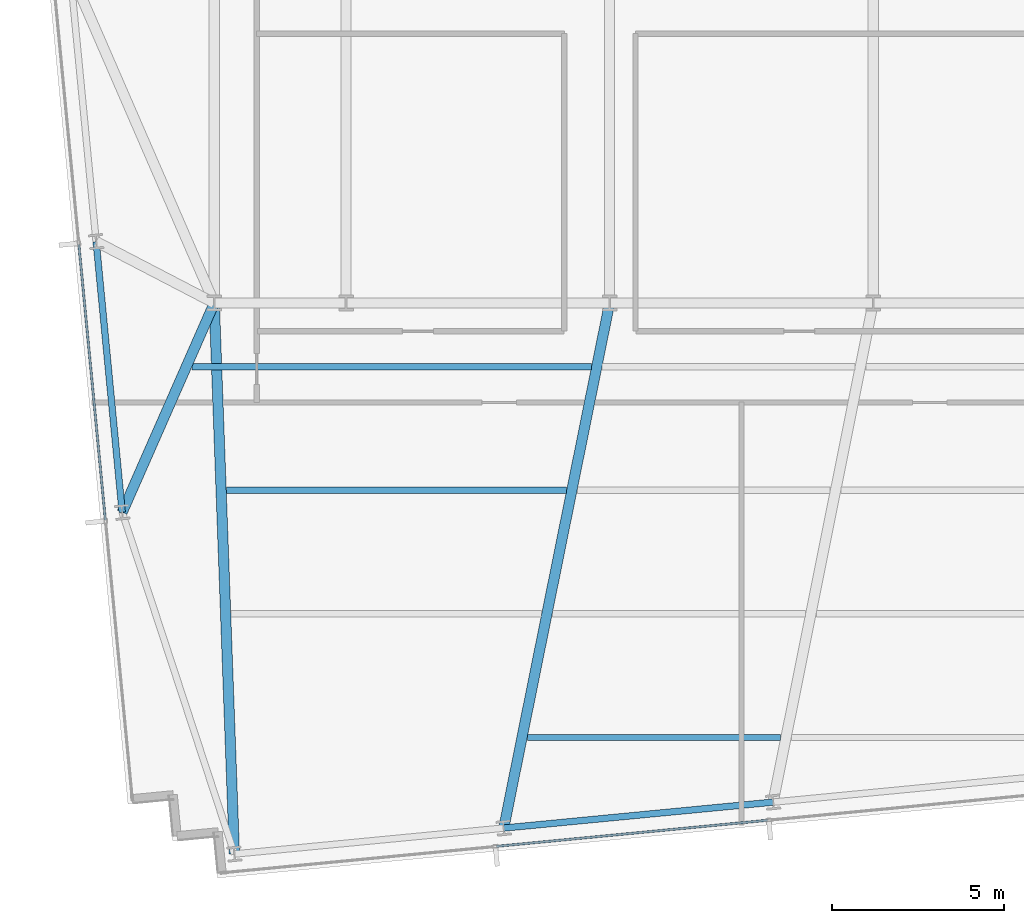
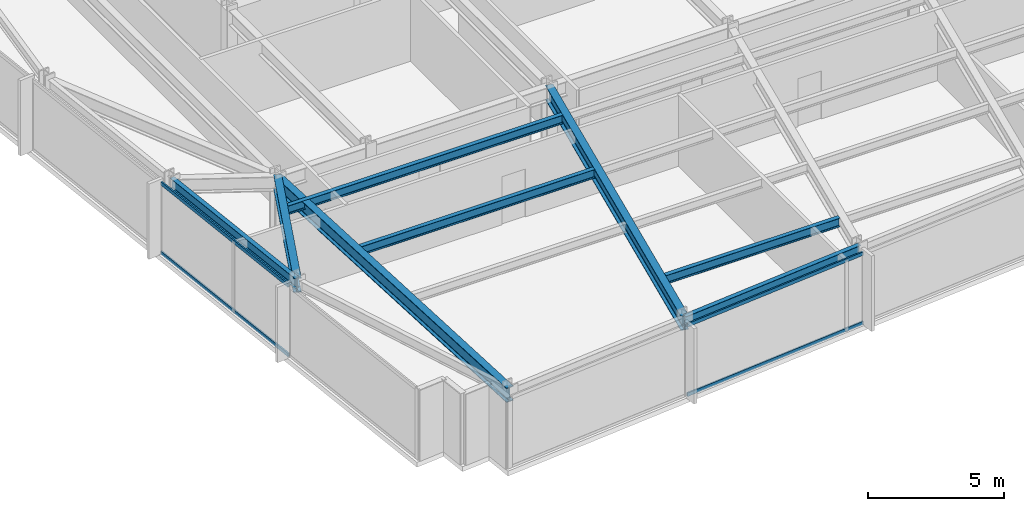
# One storey, part 3 of 32: 8 beams, 4 members, 2 elements without a shape of their own.
"""IFC4 building model written with IfcOpenShell, lengths in metres."""

from ifc_helpers import new_model, si_unit, direction, frame, origin, origin_2d, place, context, subcontext, project, spatial, hollow_rectangle, i_section, extrude, material, material_profile, profile_set, type_object, element, aggregate, save


model = new_model("IFC4")

# Units and contexts
model_context = context("Model", 3, precision=1e-05, world=origin(), true_north=direction((0.0, 1.0)))
body_context = subcontext(model_context, "Body", "Model", "MODEL_VIEW")
ifc_project = project(units=[si_unit("LENGTHUNIT", "METRE"), si_unit("AREAUNIT", "SQUARE_METRE"), si_unit("VOLUMEUNIT", "CUBIC_METRE"), si_unit("PLANEANGLEUNIT", "RADIAN"), si_unit("MASSUNIT", "GRAM", prefix="KILO")], contexts=[model_context])

# Site, building, storey
site_placement = place(None, origin())
site = spatial("IfcSite", under=ifc_project, at=site_placement, CompositionType="ELEMENT")
building_placement = place(site_placement, origin())
building = spatial("IfcBuilding", under=site, at=building_placement, Name="Yelkora Congress Tower", CompositionType="ELEMENT")
storey_placement = place(building_placement, frame((0.0, 0.0, 99.89990234375)))
storey = spatial("IfcBuildingStorey", under=building, at=storey_placement, Name="L26", CompositionType="ELEMENT", Elevation=99.89990234375)

# Beams
ifc_material_1 = material(Name="Steel S355J2", Category="steel")
ifc_material_profile_1 = material_profile(ifc_material_1, i_section(OverallWidth=0.300048828125, OverallDepth=0.64990234375, WebThickness=0.01611328125, FlangeThickness=0.031005859375, FilletRadius=0.027099609375, at=origin_2d()), Name="HEB 650")
ifc_profile_set_1 = profile_set([ifc_material_profile_1], Name="Steel S355J2")
beam_type_1 = type_object("IfcBeamType", Name="BM-GIRD-HEB650", PredefinedType="BEAM", material=ifc_profile_set_1)
beam_1_placement = place(storey_placement, frame((19.785888671875, 9.144287109375, 2.85498046875), z_axis=(-0.03646985294, 0.999334753637, 0.0), x_axis=(-0.999334753637, -0.03646985294, 0.0)))
element("IfcBeam", 1, at=beam_1_placement, inside=storey, type_object=beam_type_1, Name="L26 Primary Frame Girder S01", PredefinedType="BEAM", context=body_context, shape_type="SweptSolid", body=[
    extrude(i_section(OverallWidth=0.300048828125, OverallDepth=0.64990234375, WebThickness=0.01611328125, FlangeThickness=0.031005859375, FilletRadius=0.027099609375, at=origin_2d()), origin(), (0.0, 0.0, 1.0), 16.06640625),
])
beam_2_placement = place(storey_placement, frame((27.635498046875, 9.900146484375, 2.85498046875), z_axis=(0.197625995154, 0.980277494406, 0.0), x_axis=(-0.980277494406, 0.197625995154, 0.0)))
element("IfcBeam", 2, at=beam_2_placement, inside=storey, type_object=beam_type_1, Name="L26 Primary Frame Girder S02", PredefinedType="BEAM", context=body_context, shape_type="SweptSolid", body=[
    extrude(i_section(OverallWidth=0.300048828125, OverallDepth=0.64990234375, WebThickness=0.01611328125, FlangeThickness=0.031005859375, FilletRadius=0.027099609375, at=origin_2d()), origin(), (0.0, 0.0, 1.0), 15.607666015625),
])
beam_3_placement = place(storey_placement, frame((16.5166015625, 19.101806640625, 2.85498046875), z_axis=(0.402759490709, 0.915305846504, 0.0), x_axis=(-0.915305846504, 0.402759490709, 0.0)))
element("IfcBeam", 3, at=beam_3_placement, inside=storey, type_object=beam_type_1, Name="L26 Primary Frame Girder W01", PredefinedType="BEAM", context=body_context, shape_type="SweptSolid", body=[
    extrude(i_section(OverallWidth=0.300048828125, OverallDepth=0.64990234375, WebThickness=0.01611328125, FlangeThickness=0.031005859375, FilletRadius=0.027099609375, at=origin_2d()), origin(), (0.0, 0.0, 1.0), 6.662353515625),
])
ifc_material_profile_2 = material_profile(ifc_material_1, i_section(OverallWidth=0.179931640625, OverallDepth=0.39990234375, WebThickness=0.008544921875, FlangeThickness=0.013427734375, FilletRadius=0.02099609375, at=origin_2d()), Name="IPE 400")
ifc_profile_set_2 = profile_set([ifc_material_profile_2], Name="Steel S355J2")
beam_type_2 = type_object("IfcBeamType", Name="BM-JOIST-IPE400", PredefinedType="JOIST", material=ifc_profile_set_2)
beam_4_placement = place(storey_placement, frame((28.32861328125, 12.54443359375, 2.97998046875), z_axis=(1.0, 0.0, 0.0), x_axis=(0.0, 1.0, 0.0)))
element("IfcBeam", 4, at=beam_4_placement, inside=storey, type_object=beam_type_2, Name="L26 Composite Floor Joist 1", PredefinedType="JOIST", context=body_context, shape_type="SweptSolid", body=[
    extrude(i_section(OverallWidth=0.179931640625, OverallDepth=0.39990234375, WebThickness=0.008544921875, FlangeThickness=0.013427734375, FilletRadius=0.02099609375, at=origin_2d()), origin(), (0.0, 0.0, 1.0), 7.374755859375),
])
beam_5_placement = place(storey_placement, frame((19.55908203125, 19.744384765625, 2.97998046875), z_axis=(1.0, 0.0, 0.0), x_axis=(0.0, 1.0, 0.0)))
element("IfcBeam", 5, at=beam_5_placement, inside=storey, type_object=beam_type_2, Name="L26 Composite Floor Joist 11", PredefinedType="JOIST", context=body_context, shape_type="SweptSolid", body=[
    extrude(i_section(OverallWidth=0.179931640625, OverallDepth=0.39990234375, WebThickness=0.008544921875, FlangeThickness=0.013427734375, FilletRadius=0.02099609375, at=origin_2d()), origin(), (0.0, 0.0, 1.0), 9.901123046875),
])
beam_6_placement = place(storey_placement, frame((18.54345703125, 23.344482421875, 2.97998046875), z_axis=(1.0, 0.0, 0.0), x_axis=(0.0, 1.0, 0.0)))
element("IfcBeam", 6, at=beam_6_placement, inside=storey, type_object=beam_type_2, Name="L26 Composite Floor Joist 18", PredefinedType="JOIST", context=body_context, shape_type="SweptSolid", body=[
    extrude(i_section(OverallWidth=0.179931640625, OverallDepth=0.39990234375, WebThickness=0.008544921875, FlangeThickness=0.013427734375, FilletRadius=0.02099609375, at=origin_2d()), origin(), (0.0, 0.0, 1.0), 11.642333984375),
])
ifc_material_profile_3 = material_profile(ifc_material_1, i_section(OverallWidth=0.18994140625, OverallDepth=0.449951171875, WebThickness=0.009521484375, FlangeThickness=0.0146484375, FilletRadius=0.02099609375, at=origin_2d()), Name="IPE 450")
ifc_profile_set_3 = profile_set([ifc_material_profile_3], Name="Steel S355J2")
beam_type_3 = type_object("IfcBeamType", Name="BM-SPAN-IPE450", PredefinedType="SPANDREL", material=ifc_profile_set_3)
beam_7_placement = place(storey_placement, frame((15.757080078125, 26.990478515625, 2.955078125), z_axis=(0.09583684824, -0.995397055712, 0.0), x_axis=(0.995397055712, 0.09583684824, 0.0)))
element("IfcBeam", 7, at=beam_7_placement, inside=storey, type_object=beam_type_3, Name="L26 Perimeter Beam 1", PredefinedType="SPANDREL", context=body_context, shape_type="SweptSolid", body=[
    extrude(i_section(OverallWidth=0.18994140625, OverallDepth=0.449951171875, WebThickness=0.009521484375, FlangeThickness=0.0146484375, FilletRadius=0.02099609375, at=origin_2d()), origin(), (0.0, 0.0, 1.0), 7.925048828125),
])
beam_8_placement = place(storey_placement, frame((27.635498046875, 9.900146484375, 2.955078125), z_axis=(0.995395575667, 0.095852219286, 0.0), x_axis=(-0.095852219286, 0.995395575667, 0.0)))
element("IfcBeam", 8, at=beam_8_placement, inside=storey, type_object=beam_type_3, Name="L26 Perimeter Beam 4", PredefinedType="SPANDREL", context=body_context, shape_type="SweptSolid", body=[
    extrude(i_section(OverallWidth=0.18994140625, OverallDepth=0.449951171875, WebThickness=0.009521484375, FlangeThickness=0.0146484375, FilletRadius=0.02099609375, at=origin_2d()), origin(), (0.0, 0.0, 1.0), 7.8857421875),
])

# Curtain wall, members
ifc_material_2 = material(Name="Anodised aluminium and insulated glass", Category="aluminium")
curtain_wall_type = type_object("IfcCurtainWallType", Name="CW-SYS-B2", PredefinedType="NOTDEFINED", material=ifc_material_2)
curtain_wall_1_placement = place(storey_placement, origin())
curtain_wall_1 = element("IfcCurtainWall", 9, at=curtain_wall_1_placement, inside=storey, type_object=curtain_wall_type, Name="L26 Unitised Curtain Wall 5", PredefinedType="NOTDEFINED")
ifc_material_3 = material(Name="Anodised aluminium 6063-T6", Category="aluminium")
ifc_material_profile_4 = material_profile(ifc_material_3, hollow_rectangle(XDim=0.06494140625, YDim=0.159912109375, WallThickness=0.00390625, at=origin_2d()), Name="ALU 65x160x4")
ifc_profile_set_4 = profile_set([ifc_material_profile_4], Name="Anodised aluminium 6063-T6")
member_type = type_object("IfcMemberType", Name="MEM-TR-B2", PredefinedType="USERDEFINED", material=ifc_profile_set_4)
member_1_placement = place(storey_placement, frame((16.025146484375, 18.8837890625, 0.03271484375), z_axis=(-0.095838228465, 0.995396922823, 0.0), x_axis=(-0.995396922823, -0.095838228465, 0.0)))
member_1 = element("IfcMember", 10, at=member_1_placement, type_object=member_type, Name="CW-B2 transom 2.1", ObjectType="TRANSOM", PredefinedType="USERDEFINED", context=body_context, shape_type="SweptSolid", body=[
    extrude(hollow_rectangle(XDim=0.06494140625, YDim=0.159912109375, WallThickness=0.00390625, at=origin_2d()), origin(), (0.0, 0.0, 1.0), 8.06005859375),
])
member_2_placement = place(storey_placement, frame((16.025146484375, 18.8837890625, 3.147705078125), z_axis=(-0.095838228465, 0.995396922823, 0.0), x_axis=(-0.995396922823, -0.095838228465, 0.0)))
member_2 = element("IfcMember", 11, at=member_2_placement, type_object=member_type, Name="CW-B2 transom 2.2", ObjectType="TRANSOM", PredefinedType="USERDEFINED", context=body_context, shape_type="SweptSolid", body=[
    extrude(hollow_rectangle(XDim=0.06494140625, YDim=0.159912109375, WallThickness=0.00390625, at=origin_2d()), origin(), (0.0, 0.0, 1.0), 8.06005859375),
])
aggregate(curtain_wall_1, [member_1, member_2])

curtain_wall_2_placement = place(storey_placement, origin())
curtain_wall_2 = element("IfcCurtainWall", 12, at=curtain_wall_2_placement, inside=storey, type_object=curtain_wall_type, Name="L26 Unitised Curtain Wall 20", PredefinedType="NOTDEFINED")
member_3_placement = place(storey_placement, frame((35.323974609375, 10.128173828125, 0.03271484375), z_axis=(-0.995397293396, -0.095834379534, 0.0), x_axis=(0.095834379534, -0.995397293396, 0.0)))
member_3 = element("IfcMember", 13, at=member_3_placement, type_object=member_type, Name="CW-B2 transom 6.1", ObjectType="TRANSOM", PredefinedType="USERDEFINED", context=body_context, shape_type="SweptSolid", body=[
    extrude(hollow_rectangle(XDim=0.06494140625, YDim=0.159912109375, WallThickness=0.00390625, at=origin_2d()), origin(), (0.0, 0.0, 1.0), 7.93310546875),
])
member_4_placement = place(storey_placement, frame((35.323974609375, 10.128173828125, 3.147705078125), z_axis=(-0.995397293396, -0.095834379534, 0.0), x_axis=(0.095834379534, -0.995397293396, 0.0)))
member_4 = element("IfcMember", 14, at=member_4_placement, type_object=member_type, Name="CW-B2 transom 6.2", ObjectType="TRANSOM", PredefinedType="USERDEFINED", context=body_context, shape_type="SweptSolid", body=[
    extrude(hollow_rectangle(XDim=0.06494140625, YDim=0.159912109375, WallThickness=0.00390625, at=origin_2d()), origin(), (0.0, 0.0, 1.0), 7.93310546875),
])
aggregate(curtain_wall_2, [member_3, member_4])

save(model, "model.ifc")
